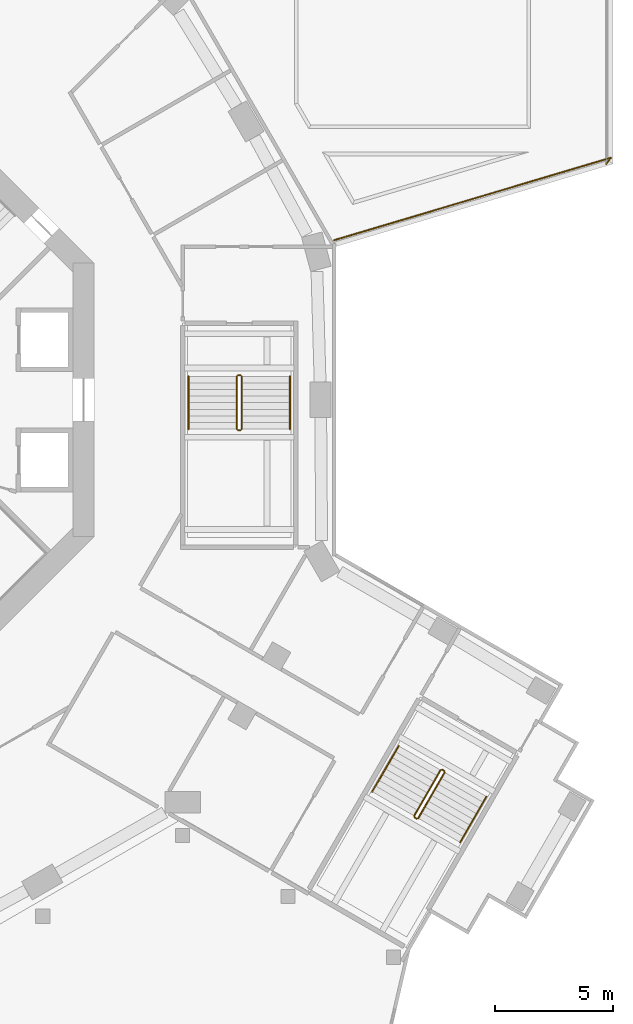
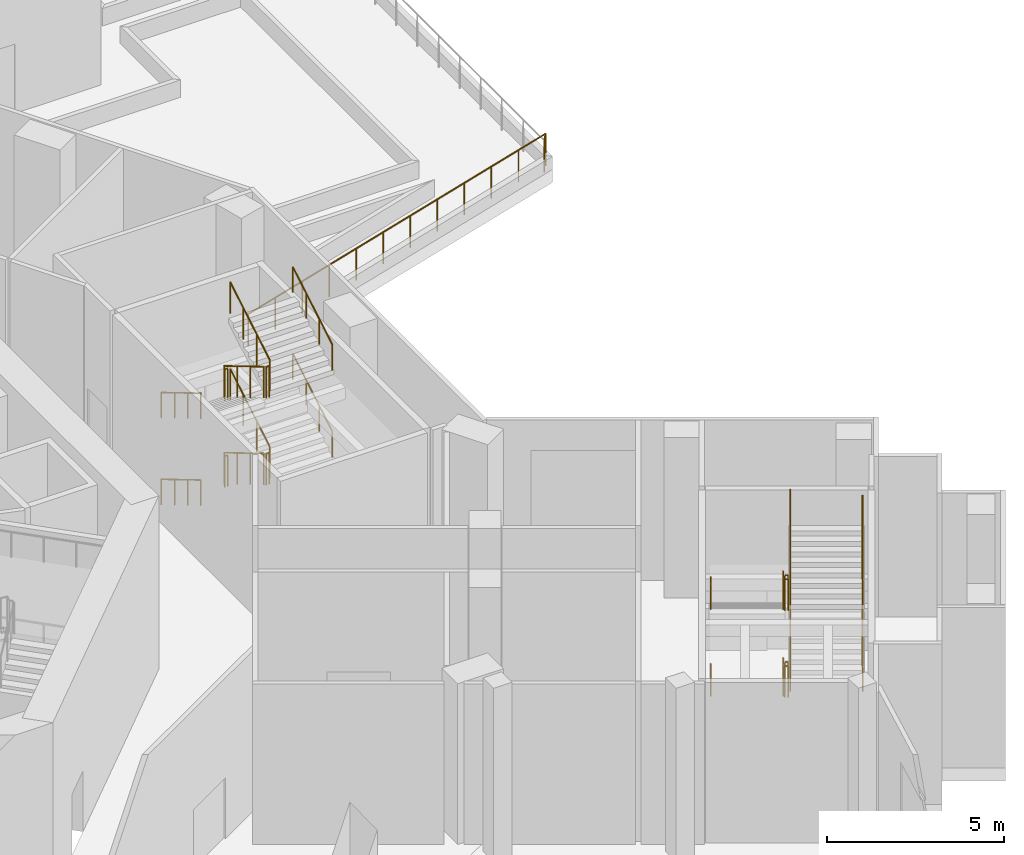
# One storey, part 26 of 29: 26 railings.
"""IFC4 building model written with IfcOpenShell, lengths in metres."""

import ifcopenshell
import ifcopenshell.guid

model = None  # the IFC model being written
_history = None  # IfcOwnerHistory: only IFC2X3 demands one
_inside = {}  # id of a spatial element -> (the spatial element, [elements in it])
_under = {}  # id of a project, library or spatial element -> (it, [spatial elements below it])
_declared = {}  # id of a project -> (the project, [libraries it declares])
_typed = {}  # id of a type object -> (the type object, [elements of that type])
_made_of = {}  # id of a material, layer set ... -> (it, [elements and type objects made of it])


def new_model(schema):
    """Start an empty IFC model of exactly this schema.

    Asked for "IFC4X3", IfcOpenShell would pick the latest addendum, in which some entities
    have other attributes; the version numbers below select the first issue.
    IFC2X3 requires an IfcOwnerHistory on every rooted entity: one is made here for all.
    """
    global model, _history
    if schema == "IFC4X3":
        model = ifcopenshell.file(schema_version=(4, 3, 0, 0))
    else:
        model = ifcopenshell.file(schema=schema)
    _inside.clear()
    _under.clear()
    _declared.clear()
    _typed.clear()
    _made_of.clear()
    _history = None
    if model.schema == "IFC2X3":
        org = make("IfcOrganization", Name="unknown")
        user = make(
            "IfcPersonAndOrganization",
            ThePerson=make("IfcPerson", FamilyName="unknown"),
            TheOrganization=org,
        )
        app = make(
            "IfcApplication",
            ApplicationDeveloper=org,
            Version="unknown",
            ApplicationFullName="unknown",
            ApplicationIdentifier="unknown",
        )
        _history = make(
            "IfcOwnerHistory",
            OwningUser=user,
            OwningApplication=app,
            ChangeAction="ADDED",
            CreationDate=0,
        )
    return model


def make(cls, **values):
    """One entity of the class cls with the attributes given. An attribute that is None is left unset."""
    return model.create_entity(
        cls, **{name: value for name, value in values.items() if value is not None}
    )


def rooted(cls, **values):
    """An entity with a GlobalId (a new one), such as an element, a storey or a relation."""
    return make(cls, GlobalId=ifcopenshell.guid.new(), OwnerHistory=_history, **values)


def si_unit(unit_type, name, prefix=None):
    """IfcSIUnit, for example si_unit("LENGTHUNIT", "METRE", prefix="MILLI")."""
    return make("IfcSIUnit", UnitType=unit_type, Prefix=prefix, Name=name)


def assignment(units):
    """IfcUnitAssignment: the units of a project."""
    return None if units is None else make("IfcUnitAssignment", Units=units)


def point(xyz):
    """IfcCartesianPoint."""
    return None if xyz is None else make("IfcCartesianPoint", Coordinates=xyz)


def direction(xyz):
    """IfcDirection."""
    return None if xyz is None else make("IfcDirection", DirectionRatios=xyz)


def frame(location, z_axis=None, x_axis=None):
    """IfcAxis2Placement3D, a coordinate frame: its origin and axes. An axis left out is left unset."""
    return make(
        "IfcAxis2Placement3D",
        Location=point(location),
        Axis=direction(z_axis),
        RefDirection=direction(x_axis),
    )


def frame_2d(location, x_axis=None):
    """IfcAxis2Placement2D, a coordinate frame in the plane: its origin and x axis."""
    return make(
        "IfcAxis2Placement2D", Location=point(location), RefDirection=direction(x_axis)
    )


def origin():
    """The frame at (0, 0, 0) with its axes left unset."""
    return frame((0.0, 0.0, 0.0))


def origin_2d():
    """The frame at (0, 0) in the plane with its x axis left unset."""
    return frame_2d((0.0, 0.0))


def place(relative_to, where):
    """IfcLocalPlacement: puts the frame where relative to a parent placement (None: the world)."""
    return make(
        "IfcLocalPlacement", PlacementRelTo=relative_to, RelativePlacement=where
    )


def context(
    kind, dimensions, precision=None, world=None, true_north=None, identifier=None
):
    """IfcGeometricRepresentationContext, for example the 3D "Model" context."""
    return make(
        "IfcGeometricRepresentationContext",
        ContextIdentifier=identifier,
        ContextType=kind,
        CoordinateSpaceDimension=dimensions,
        Precision=precision,
        WorldCoordinateSystem=world,
        TrueNorth=true_north,
    )


def subcontext(parent, identifier, kind, view, scale=None):
    """IfcGeometricRepresentationSubContext, for example "Body" below "Model"."""
    return make(
        "IfcGeometricRepresentationSubContext",
        ContextIdentifier=identifier,
        ContextType=kind,
        ParentContext=parent,
        TargetScale=scale,
        TargetView=view,
    )


def project(units=None, contexts=None):
    """IfcProject with its units and contexts."""
    return rooted(
        "IfcProject",
        Name="project",
        RepresentationContexts=contexts,
        UnitsInContext=assignment(units),
    )


def spatial(cls, under=None, at=None, **own):
    """A site, building, storey or space (cls), placed at a placement, below another one or the project."""
    s = rooted(cls, ObjectPlacement=at, **own)
    if under is not None:
        _under.setdefault(under.id(), (under, []))[1].append(s)
    return s


def profile(cls, at=None, kind="AREA", **sizes):
    """A parametric profile (cls). Its sizes go by their IFC names, for example OverallWidth=200.0."""
    return make(cls, ProfileType=kind, Position=at, **sizes)


def circle(**sizes):
    """IfcCircleProfileDef."""
    return profile("IfcCircleProfileDef", **sizes)


def extrude(swept, where, along, depth):
    """IfcExtrudedAreaSolid: the profile swept, set in the frame where, extruded along a direction by depth."""
    return make(
        "IfcExtrudedAreaSolid",
        SweptArea=swept,
        Position=where,
        ExtrudedDirection=direction(along),
        Depth=depth,
    )


def shape(context_of_items, identifier, shape_type, items):
    """IfcShapeRepresentation: the items that make up one representation, for example the "Body"."""
    return make(
        "IfcShapeRepresentation",
        ContextOfItems=context_of_items,
        RepresentationIdentifier=identifier,
        RepresentationType=shape_type,
        Items=items,
    )


def material(Name=None, Category=None):
    """IfcMaterial."""
    return make("IfcMaterial", Name=Name, Category=Category)


def made_of(thing, what):
    """Note that an element or type object is made of a material, layer set ...; save() writes the relation."""
    if what is not None:
        _made_of.setdefault(what.id(), (what, []))[1].append(thing)
    return thing


def type_object(cls, material=None, **own):
    """A type object (cls), such as IfcWallType, which elements share."""
    return made_of(rooted(cls, **own), material)


def element(
    cls,
    number,
    at=None,
    inside=None,
    cuts=None,
    type_object=None,
    material=None,
    context=None,
    identifier="Body",
    shape_type=None,
    held_by="IfcProductDefinitionShape",
    body=None,
    shapes=None,
    **own,
):
    """One element of the class cls, such as IfcWall. Its Tag is "e" and its number.

    at: its placement. inside: the storey or other place that contains it. cuts: it is an
    opening in that element (IfcRelVoidsElement). A single representation is given by context,
    identifier, shape_type and body (its items); several are given by shapes. held_by: the class
    of the entity that holds the representations. save() writes the other relations.
    """
    e = rooted(cls, Tag="e%d" % number, ObjectPlacement=at, **own)
    if body is not None:
        shapes = [shape(context, identifier, shape_type, body)]
    if shapes is not None:
        e.Representation = make(held_by, Representations=shapes)
    if inside is not None:
        _inside.setdefault(inside.id(), (inside, []))[1].append(e)
    if cuts is not None:
        rooted(
            "IfcRelVoidsElement", RelatingBuildingElement=cuts, RelatedOpeningElement=e
        )
    if type_object is not None:
        _typed.setdefault(type_object.id(), (type_object, []))[1].append(e)
    return made_of(e, material)


def aggregate(whole, parts):
    """IfcRelAggregates: a whole, such as a stair, and the parts it consists of."""
    return rooted("IfcRelAggregates", RelatingObject=whole, RelatedObjects=parts)


def save(model, path):
    """Write the relations noted so far, then the file.

    IfcRelAggregates (storeys below a building ...), IfcRelContainedInSpatialStructure (elements
    in a storey), IfcRelDefinesByType, IfcRelAssociatesMaterial and IfcRelDeclares: one each for
    every whole, place, type object, material and project.
    """
    for whole, parts in _under.values():
        aggregate(whole, parts)
    for where, things in _inside.values():
        rooted(
            "IfcRelContainedInSpatialStructure",
            RelatedElements=things,
            RelatingStructure=where,
        )
    for kind, things in _typed.values():
        rooted("IfcRelDefinesByType", RelatedObjects=things, RelatingType=kind)
    for what, things in _made_of.values():
        rooted("IfcRelAssociatesMaterial", RelatedObjects=things, RelatingMaterial=what)
    for by, libraries in _declared.values():
        rooted("IfcRelDeclares", RelatingContext=by, RelatedDefinitions=libraries)
    model.write(path)


model = new_model("IFC4")

# Units and contexts
model_context = context("Model", 3, precision=1e-05, world=origin(), true_north=direction((0.0, 1.0)))
body_context = subcontext(model_context, "Body", "Model", "MODEL_VIEW")
ifc_project = project(units=[si_unit("LENGTHUNIT", "METRE"), si_unit("AREAUNIT", "SQUARE_METRE"), si_unit("VOLUMEUNIT", "CUBIC_METRE"), si_unit("PLANEANGLEUNIT", "RADIAN"), si_unit("MASSUNIT", "GRAM", prefix="KILO")], contexts=[model_context])

# Site, building, storey
site_placement = place(None, origin())
site = spatial("IfcSite", under=ifc_project, at=site_placement, CompositionType="ELEMENT")
building_placement = place(site_placement, origin())
building = spatial("IfcBuilding", under=site, at=building_placement, Name="Verdalira Terraces Hotel", CompositionType="ELEMENT")
storey_placement = place(building_placement, frame((0.0, 0.0, 8.0)))
storey = spatial("IfcBuildingStorey", under=building, at=storey_placement, Name="L01", CompositionType="ELEMENT", Elevation=8.0)

# Railings
ifc_material_1 = material(Name="Stainless steel", Category="steel")
railing_type_1 = type_object("IfcRailingType", Name="Stair guard 1100", PredefinedType="GUARDRAIL", material=ifc_material_1)
railing_1_placement = place(storey_placement, frame((28.694092, -15.700439, 0.166748)))
element("IfcRailing", 1, at=railing_1_placement, inside=storey, type_object=railing_type_1, Name="L01 PS3 stair guard 1", PredefinedType="GUARDRAIL", context=body_context, shape_type="SweptSolid", body=[
    extrude(circle(Radius=0.023926, at=origin_2d()), frame((0.0, 0.0, 1.076172), z_axis=(-0.429684499, -0.744174593, 0.511444431), x_axis=(0.866007717, -0.500030633, 0.0)), (0.0, 0.0, 1.0), 2.606934),
    extrude(circle(Radius=0.020996, at=origin_2d()), origin(), (0.0, 0.0, 1.0), 1.052002),
    extrude(circle(Radius=0.020996, at=origin_2d()), frame((-0.373291, -0.646729, 0.444336)), (0.0, 0.0, 1.0), 1.052002),
    extrude(circle(Radius=0.020996, at=origin_2d()), frame((-0.746826, -1.293213, 0.888916)), (0.0, 0.0, 1.0), 1.052002),
    extrude(circle(Radius=0.020996, at=origin_2d()), frame((-1.120117, -1.939941, 1.333252)), (0.0, 0.0, 1.0), 1.052002),
])
railing_2_placement = place(storey_placement, frame((27.592285, -17.70874, 1.5)))
element("IfcRailing", 2, at=railing_2_placement, inside=storey, type_object=railing_type_1, Name="L01 PS3 stair guard 2", PredefinedType="GUARDRAIL", context=body_context, shape_type="SweptSolid", body=[
    extrude(circle(Radius=0.023926, at=origin_2d()), frame((0.0, 0.0, 1.076172), z_axis=(0.865982458, -0.500074377, 0.0), x_axis=(0.500074377, 0.865982458, 0.0)), (0.0, 0.0, 1.0), 0.100098),
    extrude(circle(Radius=0.020996, at=origin_2d()), origin(), (0.0, 0.0, 1.0), 1.052002),
    extrude(circle(Radius=0.020996, at=origin_2d()), frame((0.08667, -0.050049, 0.0)), (0.0, 0.0, 1.0), 1.052002),
])
railing_3_placement = place(storey_placement, frame((27.747314, -17.740479, 1.666748)))
element("IfcRailing", 3, at=railing_3_placement, inside=storey, type_object=railing_type_1, Name="L01 PS3 stair guard 3", PredefinedType="GUARDRAIL", context=body_context, shape_type="SweptSolid", body=[
    extrude(circle(Radius=0.023926, at=origin_2d()), frame((0.0, 0.0, 1.076172), z_axis=(0.429608132, 0.744204538, 0.511465012), x_axis=(-0.866054911, 0.499948889, 0.0)), (0.0, 0.0, 1.0), 2.606689),
    extrude(circle(Radius=0.020996, at=origin_2d()), origin(), (0.0, 0.0, 1.0), 1.052002),
    extrude(circle(Radius=0.020996, at=origin_2d()), frame((0.373291, 0.646729, 0.444336)), (0.0, 0.0, 1.0), 1.052002),
    extrude(circle(Radius=0.020996, at=origin_2d()), frame((0.746582, 1.293213, 0.888916)), (0.0, 0.0, 1.0), 1.052002),
    extrude(circle(Radius=0.020996, at=origin_2d()), frame((1.119873, 1.939941, 1.333252)), (0.0, 0.0, 1.0), 1.052002),
])
railing_4_placement = place(storey_placement, frame((28.762451, -15.682129, 3.0)))
element("IfcRailing", 4, at=railing_4_placement, inside=storey, type_object=railing_type_1, Name="L01 PS3 stair guard 4", PredefinedType="GUARDRAIL", context=body_context, shape_type="SweptSolid", body=[
    extrude(circle(Radius=0.023926, at=origin_2d()), frame((0.0, 0.0, 1.076172), z_axis=(0.865370492, -0.501132629, 0.0), x_axis=(0.501132629, 0.865370492, 0.0)), (0.0, 0.0, 1.0), 0.099854),
    extrude(circle(Radius=0.020996, at=origin_2d()), origin(), (0.0, 0.0, 1.0), 1.052002),
    extrude(circle(Radius=0.020996, at=origin_2d()), frame((0.086426, -0.050049, 0.0)), (0.0, 0.0, 1.0), 1.052002),
])
railing_5_placement = place(storey_placement, frame((28.694092, -15.700439, 3.166748)))
element("IfcRailing", 5, at=railing_5_placement, inside=storey, type_object=railing_type_1, Name="L01 PS3 stair guard 5", PredefinedType="GUARDRAIL", context=body_context, shape_type="SweptSolid", body=[
    extrude(circle(Radius=0.023926, at=origin_2d()), frame((0.0, 0.0, 1.076172), z_axis=(-0.429684499, -0.744174593, 0.511444431), x_axis=(0.866007717, -0.500030633, 0.0)), (0.0, 0.0, 1.0), 2.606934),
    extrude(circle(Radius=0.020996, at=origin_2d()), origin(), (0.0, 0.0, 1.0), 1.052002),
    extrude(circle(Radius=0.020996, at=origin_2d()), frame((-0.373291, -0.646729, 0.444336)), (0.0, 0.0, 1.0), 1.052002),
    extrude(circle(Radius=0.020996, at=origin_2d()), frame((-0.746826, -1.293213, 0.888916)), (0.0, 0.0, 1.0), 1.052002),
    extrude(circle(Radius=0.020996, at=origin_2d()), frame((-1.120117, -1.939941, 1.333252)), (0.0, 0.0, 1.0), 1.052002),
])
railing_6_placement = place(storey_placement, frame((27.592285, -17.70874, 4.5)))
element("IfcRailing", 6, at=railing_6_placement, inside=storey, type_object=railing_type_1, Name="L01 PS3 stair guard 6", PredefinedType="GUARDRAIL", context=body_context, shape_type="SweptSolid", body=[
    extrude(circle(Radius=0.023926, at=origin_2d()), frame((0.0, 0.0, 1.076172), z_axis=(0.865982458, -0.500074377, 0.0), x_axis=(0.500074377, 0.865982458, 0.0)), (0.0, 0.0, 1.0), 0.100098),
    extrude(circle(Radius=0.020996, at=origin_2d()), origin(), (0.0, 0.0, 1.0), 1.052002),
    extrude(circle(Radius=0.020996, at=origin_2d()), frame((0.08667, -0.050049, 0.0)), (0.0, 0.0, 1.0), 1.052002),
])
railing_7_placement = place(storey_placement, frame((27.747314, -17.740479, 4.666748)))
element("IfcRailing", 7, at=railing_7_placement, inside=storey, type_object=railing_type_1, Name="L01 PS3 stair guard 7", PredefinedType="GUARDRAIL", context=body_context, shape_type="SweptSolid", body=[
    extrude(circle(Radius=0.023926, at=origin_2d()), frame((0.0, 0.0, 1.076172), z_axis=(0.429608132, 0.744204538, 0.511465012), x_axis=(-0.866054911, 0.499948889, 0.0)), (0.0, 0.0, 1.0), 2.606689),
    extrude(circle(Radius=0.020996, at=origin_2d()), origin(), (0.0, 0.0, 1.0), 1.052002),
    extrude(circle(Radius=0.020996, at=origin_2d()), frame((0.373291, 0.646729, 0.444336)), (0.0, 0.0, 1.0), 1.052002),
    extrude(circle(Radius=0.020996, at=origin_2d()), frame((0.746582, 1.293213, 0.888916)), (0.0, 0.0, 1.0), 1.052002),
    extrude(circle(Radius=0.020996, at=origin_2d()), frame((1.119873, 1.939941, 1.333252)), (0.0, 0.0, 1.0), 1.052002),
])
railing_8_placement = place(storey_placement, frame((28.762451, -15.682129, 0.0)))
element("IfcRailing", 8, at=railing_8_placement, inside=storey, type_object=railing_type_1, Name="L01 PS3 stair guard 8", PredefinedType="GUARDRAIL", context=body_context, shape_type="SweptSolid", body=[
    extrude(circle(Radius=0.023926, at=origin_2d()), frame((0.0, 0.0, 1.076172), z_axis=(0.865370492, -0.501132629, 0.0), x_axis=(0.501132629, 0.865370492, 0.0)), (0.0, 0.0, 1.0), 0.099854),
    extrude(circle(Radius=0.020996, at=origin_2d()), origin(), (0.0, 0.0, 1.0), 1.052002),
    extrude(circle(Radius=0.020996, at=origin_2d()), frame((0.086426, -0.050049, 0.0)), (0.0, 0.0, 1.0), 1.052002),
])
railing_9_placement = place(storey_placement, frame((20.05835, 1.0, 0.166748)))
element("IfcRailing", 9, at=railing_9_placement, inside=storey, type_object=railing_type_1, Name="L01 PS4 stair guard 1", PredefinedType="GUARDRAIL", context=body_context, shape_type="SweptSolid", body=[
    extrude(circle(Radius=0.023926, at=origin_2d()), frame((0.0, 0.0, 1.076172), z_axis=(0.0, -0.859305625, 0.511462454), x_axis=(1.0, 0.0, 0.0)), (0.0, 0.0, 1.0), 2.606689),
    extrude(circle(Radius=0.020996, at=origin_2d()), origin(), (0.0, 0.0, 1.0), 1.052002),
    extrude(circle(Radius=0.020996, at=origin_2d()), frame((0.0, -0.746582, 0.444336)), (0.0, 0.0, 1.0), 1.052002),
    extrude(circle(Radius=0.020996, at=origin_2d()), frame((0.0, -1.493408, 0.888916)), (0.0, 0.0, 1.0), 1.052002),
    extrude(circle(Radius=0.020996, at=origin_2d()), frame((0.0, -2.23999, 1.333252)), (0.0, 0.0, 1.0), 1.052002),
])
railing_10_placement = place(storey_placement, frame((20.108398, -1.290039, 1.5)))
element("IfcRailing", 10, at=railing_10_placement, inside=storey, type_object=railing_type_1, Name="L01 PS4 stair guard 2", PredefinedType="GUARDRAIL", context=body_context, shape_type="SweptSolid", body=[
    extrude(circle(Radius=0.023926, at=origin_2d()), frame((0.0, 0.0, 1.076172), z_axis=(1.0, 0.0, 0.0), x_axis=(0.0, 1.0, 0.0)), (0.0, 0.0, 1.0), 0.099854),
    extrude(circle(Radius=0.020996, at=origin_2d()), origin(), (0.0, 0.0, 1.0), 1.052002),
    extrude(circle(Radius=0.020996, at=origin_2d()), frame((0.099854, 0.0, 0.0)), (0.0, 0.0, 1.0), 1.052002),
])
railing_11_placement = place(storey_placement, frame((20.258301, -1.23999, 1.666748)))
element("IfcRailing", 11, at=railing_11_placement, inside=storey, type_object=railing_type_1, Name="L01 PS4 stair guard 3", PredefinedType="GUARDRAIL", context=body_context, shape_type="SweptSolid", body=[
    extrude(circle(Radius=0.023926, at=origin_2d()), frame((0.0, 0.0, 1.076172), z_axis=(0.0, 0.859305625, 0.511462454), x_axis=(-1.0, 0.0, 0.0)), (0.0, 0.0, 1.0), 2.606689),
    extrude(circle(Radius=0.020996, at=origin_2d()), origin(), (0.0, 0.0, 1.0), 1.052002),
    extrude(circle(Radius=0.020996, at=origin_2d()), frame((0.0, 0.746582, 0.444336)), (0.0, 0.0, 1.0), 1.052002),
    extrude(circle(Radius=0.020996, at=origin_2d()), frame((0.0, 1.493408, 0.888916)), (0.0, 0.0, 1.0), 1.052002),
    extrude(circle(Radius=0.020996, at=origin_2d()), frame((0.0, 2.23999, 1.333252)), (0.0, 0.0, 1.0), 1.052002),
])
railing_12_placement = place(storey_placement, frame((20.108398, 1.050049, 3.0)))
element("IfcRailing", 12, at=railing_12_placement, inside=storey, type_object=railing_type_1, Name="L01 PS4 stair guard 4", PredefinedType="GUARDRAIL", context=body_context, shape_type="SweptSolid", body=[
    extrude(circle(Radius=0.023926, at=origin_2d()), frame((0.0, 0.0, 1.076172), z_axis=(1.0, 0.0, 0.0), x_axis=(0.0, 1.0, 0.0)), (0.0, 0.0, 1.0), 0.099854),
    extrude(circle(Radius=0.020996, at=origin_2d()), origin(), (0.0, 0.0, 1.0), 1.052002),
    extrude(circle(Radius=0.020996, at=origin_2d()), frame((0.099854, 0.0, 0.0)), (0.0, 0.0, 1.0), 1.052002),
])
railing_13_placement = place(storey_placement, frame((20.05835, 1.0, 3.166748)))
element("IfcRailing", 13, at=railing_13_placement, inside=storey, type_object=railing_type_1, Name="L01 PS4 stair guard 5", PredefinedType="GUARDRAIL", context=body_context, shape_type="SweptSolid", body=[
    extrude(circle(Radius=0.023926, at=origin_2d()), frame((0.0, 0.0, 1.076172), z_axis=(0.0, -0.859305625, 0.511462454), x_axis=(1.0, 0.0, 0.0)), (0.0, 0.0, 1.0), 2.606689),
    extrude(circle(Radius=0.020996, at=origin_2d()), origin(), (0.0, 0.0, 1.0), 1.052002),
    extrude(circle(Radius=0.020996, at=origin_2d()), frame((0.0, -0.746582, 0.444336)), (0.0, 0.0, 1.0), 1.052002),
    extrude(circle(Radius=0.020996, at=origin_2d()), frame((0.0, -1.493408, 0.888916)), (0.0, 0.0, 1.0), 1.052002),
    extrude(circle(Radius=0.020996, at=origin_2d()), frame((0.0, -2.23999, 1.333252)), (0.0, 0.0, 1.0), 1.052002),
])
railing_14_placement = place(storey_placement, frame((20.108398, -1.290039, 4.5)))
element("IfcRailing", 14, at=railing_14_placement, inside=storey, type_object=railing_type_1, Name="L01 PS4 stair guard 6", PredefinedType="GUARDRAIL", context=body_context, shape_type="SweptSolid", body=[
    extrude(circle(Radius=0.023926, at=origin_2d()), frame((0.0, 0.0, 1.076172), z_axis=(1.0, 0.0, 0.0), x_axis=(0.0, 1.0, 0.0)), (0.0, 0.0, 1.0), 0.099854),
    extrude(circle(Radius=0.020996, at=origin_2d()), origin(), (0.0, 0.0, 1.0), 1.052002),
    extrude(circle(Radius=0.020996, at=origin_2d()), frame((0.099854, 0.0, 0.0)), (0.0, 0.0, 1.0), 1.052002),
])
railing_15_placement = place(storey_placement, frame((20.258301, -1.23999, 4.666748)))
element("IfcRailing", 15, at=railing_15_placement, inside=storey, type_object=railing_type_1, Name="L01 PS4 stair guard 7", PredefinedType="GUARDRAIL", context=body_context, shape_type="SweptSolid", body=[
    extrude(circle(Radius=0.023926, at=origin_2d()), frame((0.0, 0.0, 1.076172), z_axis=(0.0, 0.859305625, 0.511462454), x_axis=(-1.0, 0.0, 0.0)), (0.0, 0.0, 1.0), 2.606689),
    extrude(circle(Radius=0.020996, at=origin_2d()), origin(), (0.0, 0.0, 1.0), 1.052002),
    extrude(circle(Radius=0.020996, at=origin_2d()), frame((0.0, 0.746582, 0.444336)), (0.0, 0.0, 1.0), 1.052002),
    extrude(circle(Radius=0.020996, at=origin_2d()), frame((0.0, 1.493408, 0.888916)), (0.0, 0.0, 1.0), 1.052002),
    extrude(circle(Radius=0.020996, at=origin_2d()), frame((0.0, 2.23999, 1.333252)), (0.0, 0.0, 1.0), 1.052002),
])
railing_16_placement = place(storey_placement, frame((20.108398, 1.050049, 0.0)))
element("IfcRailing", 16, at=railing_16_placement, inside=storey, type_object=railing_type_1, Name="L01 PS4 stair guard 8", PredefinedType="GUARDRAIL", context=body_context, shape_type="SweptSolid", body=[
    extrude(circle(Radius=0.023926, at=origin_2d()), frame((0.0, 0.0, 1.076172), z_axis=(1.0, 0.0, 0.0), x_axis=(0.0, 1.0, 0.0)), (0.0, 0.0, 1.0), 0.099854),
    extrude(circle(Radius=0.020996, at=origin_2d()), origin(), (0.0, 0.0, 1.0), 1.052002),
    extrude(circle(Radius=0.020996, at=origin_2d()), frame((0.099854, 0.0, 0.0)), (0.0, 0.0, 1.0), 1.052002),
])
ifc_material_2 = material(Name="Stainless steel", Category="steel")
railing_type_2 = type_object("IfcRailingType", Name="Stair handrail 900", PredefinedType="HANDRAIL", material=ifc_material_2)
railing_17_placement = place(storey_placement, frame((26.918701, -14.675537, 0.166748)))
element("IfcRailing", 17, at=railing_17_placement, inside=storey, type_object=railing_type_2, Name="L01 PS3 stair handrail 1", PredefinedType="HANDRAIL", context=body_context, shape_type="SweptSolid", body=[
    extrude(circle(Radius=0.023926, at=origin_2d()), frame((0.0, 0.0, 0.875977), z_axis=(-0.429684499, -0.744174593, 0.511444431), x_axis=(0.866007717, -0.500030633, 0.0)), (0.0, 0.0, 1.0), 2.606934),
    extrude(circle(Radius=0.020996, at=origin_2d()), origin(), (0.0, 0.0, 1.0), 0.851807),
    extrude(circle(Radius=0.020996, at=origin_2d()), frame((-0.373291, -0.646729, 0.444336)), (0.0, 0.0, 1.0), 0.851807),
    extrude(circle(Radius=0.020996, at=origin_2d()), frame((-0.746826, -1.293213, 0.888916)), (0.0, 0.0, 1.0), 0.851807),
    extrude(circle(Radius=0.020996, at=origin_2d()), frame((-1.120117, -1.939941, 1.333252)), (0.0, 0.0, 1.0), 0.851807),
])
railing_18_placement = place(storey_placement, frame((29.522705, -18.765381, 1.666748)))
element("IfcRailing", 18, at=railing_18_placement, inside=storey, type_object=railing_type_2, Name="L01 PS3 stair handrail 2", PredefinedType="HANDRAIL", context=body_context, shape_type="SweptSolid", body=[
    extrude(circle(Radius=0.023926, at=origin_2d()), frame((0.0, 0.0, 0.875977), z_axis=(0.429608132, 0.744204538, 0.511465012), x_axis=(-0.866054911, 0.499948889, 0.0)), (0.0, 0.0, 1.0), 2.606689),
    extrude(circle(Radius=0.020996, at=origin_2d()), origin(), (0.0, 0.0, 1.0), 0.851807),
    extrude(circle(Radius=0.020996, at=origin_2d()), frame((0.373291, 0.646729, 0.444336)), (0.0, 0.0, 1.0), 0.851807),
    extrude(circle(Radius=0.020996, at=origin_2d()), frame((0.746582, 1.293213, 0.888916)), (0.0, 0.0, 1.0), 0.851807),
    extrude(circle(Radius=0.020996, at=origin_2d()), frame((1.119873, 1.939941, 1.333252)), (0.0, 0.0, 1.0), 0.851807),
])
railing_19_placement = place(storey_placement, frame((26.918701, -14.675537, 3.166748)))
element("IfcRailing", 19, at=railing_19_placement, inside=storey, type_object=railing_type_2, Name="L01 PS3 stair handrail 3", PredefinedType="HANDRAIL", context=body_context, shape_type="SweptSolid", body=[
    extrude(circle(Radius=0.023926, at=origin_2d()), frame((0.0, 0.0, 0.875977), z_axis=(-0.429684499, -0.744174593, 0.511444431), x_axis=(0.866007717, -0.500030633, 0.0)), (0.0, 0.0, 1.0), 2.606934),
    extrude(circle(Radius=0.020996, at=origin_2d()), origin(), (0.0, 0.0, 1.0), 0.851807),
    extrude(circle(Radius=0.020996, at=origin_2d()), frame((-0.373291, -0.646729, 0.444336)), (0.0, 0.0, 1.0), 0.851807),
    extrude(circle(Radius=0.020996, at=origin_2d()), frame((-0.746826, -1.293213, 0.888916)), (0.0, 0.0, 1.0), 0.851807),
    extrude(circle(Radius=0.020996, at=origin_2d()), frame((-1.120117, -1.939941, 1.333252)), (0.0, 0.0, 1.0), 0.851807),
])
railing_20_placement = place(storey_placement, frame((29.522705, -18.765381, 4.666748)))
element("IfcRailing", 20, at=railing_20_placement, inside=storey, type_object=railing_type_2, Name="L01 PS3 stair handrail 4", PredefinedType="HANDRAIL", context=body_context, shape_type="SweptSolid", body=[
    extrude(circle(Radius=0.023926, at=origin_2d()), frame((0.0, 0.0, 0.875977), z_axis=(0.429608132, 0.744204538, 0.511465012), x_axis=(-0.866054911, 0.499948889, 0.0)), (0.0, 0.0, 1.0), 2.606689),
    extrude(circle(Radius=0.020996, at=origin_2d()), origin(), (0.0, 0.0, 1.0), 0.851807),
    extrude(circle(Radius=0.020996, at=origin_2d()), frame((0.373291, 0.646729, 0.444336)), (0.0, 0.0, 1.0), 0.851807),
    extrude(circle(Radius=0.020996, at=origin_2d()), frame((0.746582, 1.293213, 0.888916)), (0.0, 0.0, 1.0), 0.851807),
    extrude(circle(Radius=0.020996, at=origin_2d()), frame((1.119873, 1.939941, 1.333252)), (0.0, 0.0, 1.0), 0.851807),
])
railing_21_placement = place(storey_placement, frame((18.008301, 1.0, 0.166748)))
element("IfcRailing", 21, at=railing_21_placement, inside=storey, type_object=railing_type_2, Name="L01 PS4 stair handrail 1", PredefinedType="HANDRAIL", context=body_context, shape_type="SweptSolid", body=[
    extrude(circle(Radius=0.023926, at=origin_2d()), frame((0.0, 0.0, 0.875977), z_axis=(0.0, -0.859305625, 0.511462454), x_axis=(1.0, 0.0, 0.0)), (0.0, 0.0, 1.0), 2.606689),
    extrude(circle(Radius=0.020996, at=origin_2d()), origin(), (0.0, 0.0, 1.0), 0.851807),
    extrude(circle(Radius=0.020996, at=origin_2d()), frame((0.0, -0.746582, 0.444336)), (0.0, 0.0, 1.0), 0.851807),
    extrude(circle(Radius=0.020996, at=origin_2d()), frame((0.0, -1.493408, 0.888916)), (0.0, 0.0, 1.0), 0.851807),
    extrude(circle(Radius=0.020996, at=origin_2d()), frame((0.0, -2.23999, 1.333252)), (0.0, 0.0, 1.0), 0.851807),
])
railing_22_placement = place(storey_placement, frame((22.30835, -1.23999, 1.666748)))
element("IfcRailing", 22, at=railing_22_placement, inside=storey, type_object=railing_type_2, Name="L01 PS4 stair handrail 2", PredefinedType="HANDRAIL", context=body_context, shape_type="SweptSolid", body=[
    extrude(circle(Radius=0.023926, at=origin_2d()), frame((0.0, 0.0, 0.875977), z_axis=(0.0, 0.859305625, 0.511462454), x_axis=(-1.0, 0.0, 0.0)), (0.0, 0.0, 1.0), 2.606689),
    extrude(circle(Radius=0.020996, at=origin_2d()), origin(), (0.0, 0.0, 1.0), 0.851807),
    extrude(circle(Radius=0.020996, at=origin_2d()), frame((0.0, 0.746582, 0.444336)), (0.0, 0.0, 1.0), 0.851807),
    extrude(circle(Radius=0.020996, at=origin_2d()), frame((0.0, 1.493408, 0.888916)), (0.0, 0.0, 1.0), 0.851807),
    extrude(circle(Radius=0.020996, at=origin_2d()), frame((0.0, 2.23999, 1.333252)), (0.0, 0.0, 1.0), 0.851807),
])
railing_23_placement = place(storey_placement, frame((18.008301, 1.0, 3.166748)))
element("IfcRailing", 23, at=railing_23_placement, inside=storey, type_object=railing_type_2, Name="L01 PS4 stair handrail 3", PredefinedType="HANDRAIL", context=body_context, shape_type="SweptSolid", body=[
    extrude(circle(Radius=0.023926, at=origin_2d()), frame((0.0, 0.0, 0.875977), z_axis=(0.0, -0.859305625, 0.511462454), x_axis=(1.0, 0.0, 0.0)), (0.0, 0.0, 1.0), 2.606689),
    extrude(circle(Radius=0.020996, at=origin_2d()), origin(), (0.0, 0.0, 1.0), 0.851807),
    extrude(circle(Radius=0.020996, at=origin_2d()), frame((0.0, -0.746582, 0.444336)), (0.0, 0.0, 1.0), 0.851807),
    extrude(circle(Radius=0.020996, at=origin_2d()), frame((0.0, -1.493408, 0.888916)), (0.0, 0.0, 1.0), 0.851807),
    extrude(circle(Radius=0.020996, at=origin_2d()), frame((0.0, -2.23999, 1.333252)), (0.0, 0.0, 1.0), 0.851807),
])
railing_24_placement = place(storey_placement, frame((22.30835, -1.23999, 4.666748)))
element("IfcRailing", 24, at=railing_24_placement, inside=storey, type_object=railing_type_2, Name="L01 PS4 stair handrail 4", PredefinedType="HANDRAIL", context=body_context, shape_type="SweptSolid", body=[
    extrude(circle(Radius=0.023926, at=origin_2d()), frame((0.0, 0.0, 0.875977), z_axis=(0.0, 0.859305625, 0.511462454), x_axis=(-1.0, 0.0, 0.0)), (0.0, 0.0, 1.0), 2.606689),
    extrude(circle(Radius=0.020996, at=origin_2d()), origin(), (0.0, 0.0, 1.0), 0.851807),
    extrude(circle(Radius=0.020996, at=origin_2d()), frame((0.0, 0.746582, 0.444336)), (0.0, 0.0, 1.0), 0.851807),
    extrude(circle(Radius=0.020996, at=origin_2d()), frame((0.0, 1.493408, 0.888916)), (0.0, 0.0, 1.0), 0.851807),
    extrude(circle(Radius=0.020996, at=origin_2d()), frame((0.0, 2.23999, 1.333252)), (0.0, 0.0, 1.0), 0.851807),
])
ifc_material_3 = material(Name="Clear laminated glass", Category="glass")
railing_type_3 = type_object("IfcRailingType", Name="Terrace glass guard 1120", PredefinedType="GUARDRAIL", material=ifc_material_3)
railing_25_placement = place(storey_placement, frame((24.178223, 6.768311, 0.0)))
element("IfcRailing", 25, at=railing_25_placement, inside=storey, type_object=railing_type_3, Name="Terrace guard", PredefinedType="GUARDRAIL", context=body_context, shape_type="SweptSolid", body=[
    extrude(circle(Radius=0.023926, at=origin_2d()), frame((0.0, 0.0, 1.096191), z_axis=(0.958330452, 0.28566194, 0.0), x_axis=(-0.28566194, 0.958330452, 0.0)), (0.0, 0.0, 1.0), 12.252197),
    extrude(circle(Radius=0.020996, at=origin_2d()), origin(), (0.0, 0.0, 1.0), 1.072021),
    extrude(circle(Radius=0.020996, at=origin_2d()), frame((1.067383, 0.318115, 0.0)), (0.0, 0.0, 1.0), 1.072021),
    extrude(circle(Radius=0.020996, at=origin_2d()), frame((2.134766, 0.636475, 0.0)), (0.0, 0.0, 1.0), 1.072021),
    extrude(circle(Radius=0.020996, at=origin_2d()), frame((3.202393, 0.95459, 0.0)), (0.0, 0.0, 1.0), 1.072021),
    extrude(circle(Radius=0.020996, at=origin_2d()), frame((4.269775, 1.272705, 0.0)), (0.0, 0.0, 1.0), 1.072021),
    extrude(circle(Radius=0.020996, at=origin_2d()), frame((5.337158, 1.59082, 0.0)), (0.0, 0.0, 1.0), 1.072021),
    extrude(circle(Radius=0.020996, at=origin_2d()), frame((6.404541, 1.90918, 0.0)), (0.0, 0.0, 1.0), 1.072021),
    extrude(circle(Radius=0.020996, at=origin_2d()), frame((7.471924, 2.227295, 0.0)), (0.0, 0.0, 1.0), 1.072021),
    extrude(circle(Radius=0.020996, at=origin_2d()), frame((8.539307, 2.54541, 0.0)), (0.0, 0.0, 1.0), 1.072021),
    extrude(circle(Radius=0.020996, at=origin_2d()), frame((9.606934, 2.863525, 0.0)), (0.0, 0.0, 1.0), 1.072021),
    extrude(circle(Radius=0.020996, at=origin_2d()), frame((10.674316, 3.181885, 0.0)), (0.0, 0.0, 1.0), 1.072021),
    extrude(circle(Radius=0.020996, at=origin_2d()), frame((11.741699, 3.5, 0.0)), (0.0, 0.0, 1.0), 1.072021),
])
railing_26_placement = place(storey_placement, frame((35.919922, 10.268311, 0.0)))
element("IfcRailing", 26, at=railing_26_placement, inside=storey, type_object=railing_type_3, Name="Terrace guard", PredefinedType="GUARDRAIL", context=body_context, shape_type="SweptSolid", body=[
    extrude(circle(Radius=0.023926, at=origin_2d()), frame((0.0, 0.0, 1.096191), z_axis=(-0.597545713, -0.801834846, 0.0), x_axis=(0.801834846, -0.597545713, 0.0)), (0.0, 0.0, 1.0), 0.334717),
    extrude(circle(Radius=0.020996, at=origin_2d()), origin(), (0.0, 0.0, 1.0), 1.072021),
    extrude(circle(Radius=0.020996, at=origin_2d()), frame((-0.199951, -0.268311, 0.0)), (0.0, 0.0, 1.0), 1.072021),
])

save(model, "model.ifc")
